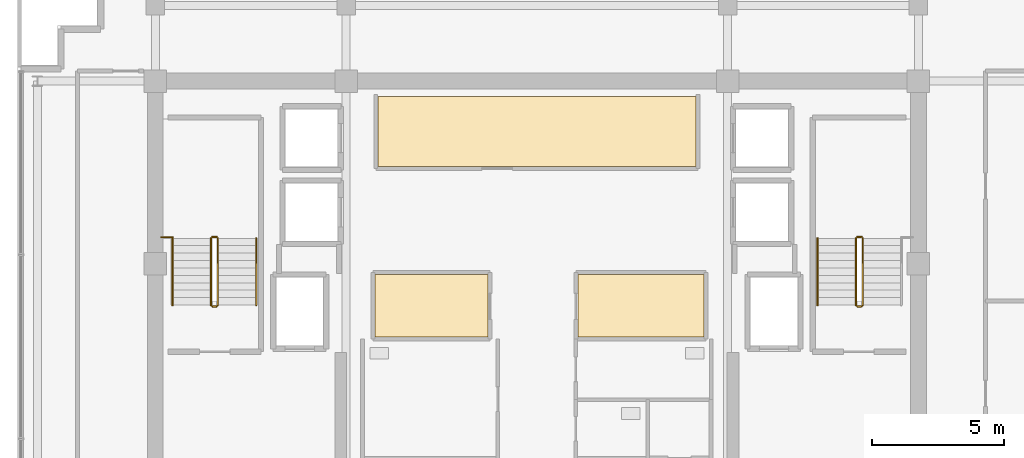
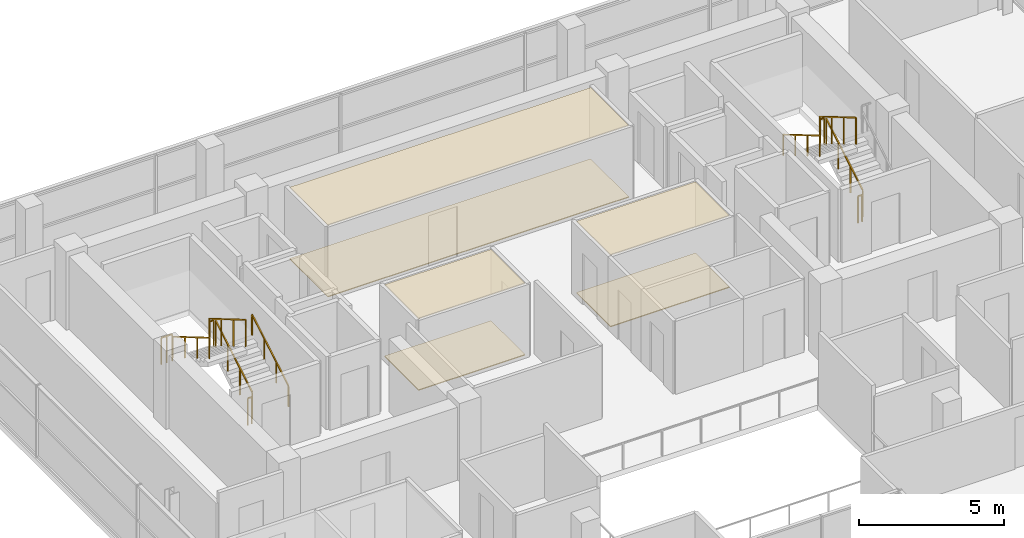
# One storey, part 20 of 22: 12 railings, 6 coverings.
"""IFC4 building model written with IfcOpenShell, lengths in metres."""

from ifc_helpers import new_model, si_unit, direction, frame, origin, origin_2d, place, context, subcontext, project, spatial, polyline, rectangle, outline, extrude, material, layer, layer_set, type_object, element, save


model = new_model("IFC4")

# Units and contexts
model_context = context("Model", 3, precision=1e-05, world=origin(), true_north=direction((0.0, 1.0)))
body_context = subcontext(model_context, "Body", "Model", "MODEL_VIEW")
ifc_project = project(units=[si_unit("LENGTHUNIT", "METRE"), si_unit("AREAUNIT", "SQUARE_METRE"), si_unit("VOLUMEUNIT", "CUBIC_METRE"), si_unit("PLANEANGLEUNIT", "RADIAN"), si_unit("MASSUNIT", "GRAM", prefix="KILO")], contexts=[model_context])

# Site, building, storey
site_placement = place(None, origin())
site = spatial("IfcSite", under=ifc_project, at=site_placement, CompositionType="ELEMENT")
building_placement = place(site_placement, origin())
building = spatial("IfcBuilding", under=site, at=building_placement, Name="Zarnakvel Exchange Tower", CompositionType="ELEMENT")
storey_placement = place(building_placement, frame((0.0, 0.0, 251.800048828125)))
storey = spatial("IfcBuildingStorey", under=building, at=storey_placement, Name="L71", CompositionType="ELEMENT", Elevation=251.800048828125)

# Coverings
ifc_material_1 = material(Name="Perforated Bronze Acoustic Metal Ceiling", Category="aluminium")
ifc_layer_1 = layer(ifc_material_1, 0.02001953125)
ifc_layer_set_1 = layer_set([ifc_layer_1], Name="Perforated Bronze Acoustic Metal Ceiling")
covering_type_1 = type_object("IfcCoveringType", Name="CLG-01", PredefinedType="CEILING", material=ifc_layer_set_1)
covering_1_placement = place(storey_placement, frame((0.0, 0.0, 3.014892578125)))
element("IfcCovering", 1, at=covering_1_placement, inside=storey, type_object=covering_type_1, Name="L71 Suspended Acoustic Ceiling (Market Data Archive Suite)", PredefinedType="CEILING", context=body_context, shape_type="SweptSolid", body=[
    extrude(outline(polyline([(-6.0, 12.919921875), (6.0, 12.919921875), (6.0, 10.280029296875), (-6.0, 10.280029296875), (-6.0, 12.919921875)])), origin(), (0.0, 0.0, 1.0), 0.02001953125),
])
covering_2_placement = place(storey_placement, frame((0.0, 0.0, 3.014892578125)))
element("IfcCovering", 2, at=covering_2_placement, inside=storey, type_object=covering_type_1, Name="L71 Suspended Acoustic Ceiling (Sovereign Compliance Office)", PredefinedType="CEILING", context=body_context, shape_type="SweptSolid", body=[
    extrude(outline(polyline([(-6.10009765625, 6.199951171875), (-1.85009765625, 6.199951171875), (-1.85009765625, 3.840087890625), (-6.10009765625, 3.840087890625), (-6.10009765625, 6.199951171875)])), origin(), (0.0, 0.0, 1.0), 0.02001953125),
])
covering_3_placement = place(storey_placement, frame((0.0, 0.0, 3.014892578125)))
element("IfcCovering", 3, at=covering_3_placement, inside=storey, type_object=covering_type_1, Name="L71 Suspended Acoustic Ceiling (Depository Legal Office)", PredefinedType="CEILING", context=body_context, shape_type="SweptSolid", body=[
    extrude(outline(polyline([(1.550048828125, 6.199951171875), (6.300048828125, 6.199951171875), (6.300048828125, 3.840087890625), (1.550048828125, 3.840087890625), (1.550048828125, 6.199951171875)])), origin(), (0.0, 0.0, 1.0), 0.02001953125),
])
ifc_material_2 = material(Name="Heavy-Duty Raised Access Floor Panel", Category="steel")
ifc_layer_2 = layer(ifc_material_2, 0.034912109375)
ifc_layer_set_2 = layer_set([ifc_layer_2], Name="Heavy-Duty Raised Access Floor Panel")
covering_type_2 = type_object("IfcCoveringType", Name="FLR-02", PredefinedType="FLOORING", material=ifc_layer_set_2)
covering_4_placement = place(storey_placement, origin())
element("IfcCovering", 4, at=covering_4_placement, inside=storey, type_object=covering_type_2, Name="L71 Floor Finish (Market Data Archive Suite)", PredefinedType="FLOORING", context=body_context, shape_type="SweptSolid", body=[
    extrude(outline(polyline([(-6.0, 12.919921875), (6.0, 12.919921875), (6.0, 10.280029296875), (-6.0, 10.280029296875), (-6.0, 12.919921875)])), origin(), (0.0, 0.0, 1.0), 0.034912109375),
])
covering_5_placement = place(storey_placement, origin())
element("IfcCovering", 5, at=covering_5_placement, inside=storey, type_object=covering_type_2, Name="L71 Floor Finish (Sovereign Compliance Office)", PredefinedType="FLOORING", context=body_context, shape_type="SweptSolid", body=[
    extrude(outline(polyline([(-6.10009765625, 6.199951171875), (-1.85009765625, 6.199951171875), (-1.85009765625, 3.840087890625), (-6.10009765625, 3.840087890625), (-6.10009765625, 6.199951171875)])), origin(), (0.0, 0.0, 1.0), 0.034912109375),
])
covering_6_placement = place(storey_placement, origin())
element("IfcCovering", 6, at=covering_6_placement, inside=storey, type_object=covering_type_2, Name="L71 Floor Finish (Depository Legal Office)", PredefinedType="FLOORING", context=body_context, shape_type="SweptSolid", body=[
    extrude(outline(polyline([(1.550048828125, 6.199951171875), (6.300048828125, 6.199951171875), (6.300048828125, 3.840087890625), (1.550048828125, 3.840087890625), (1.550048828125, 6.199951171875)])), origin(), (0.0, 0.0, 1.0), 0.034912109375),
])

# Railings
ifc_material_3 = material(Name="Brushed Stainless Steel", Category="steel")
railing_type_1 = type_object("IfcRailingType", Name="HR-01", PredefinedType="HANDRAIL", material=ifc_material_3)
railing_1_placement = place(storey_placement, frame((-10.590087890625, 5.050048828125, 0.1650390625)))
element("IfcRailing", 7, at=railing_1_placement, inside=storey, type_object=railing_type_1, Name="L71 ST-01 stair handrail 1", PredefinedType="HANDRAIL", context=body_context, shape_type="SweptSolid", body=[
    extrude(rectangle(XDim=0.048095703125, YDim=0.048095703125, at=origin_2d()), frame((0.0, 0.0, 0.8759765625), z_axis=(0.0, 0.861560626758, 0.507654692109), x_axis=(-1.0, 0.0, 0.0)), (0.0, 0.0, 1.0), 2.925048828125),
    extrude(rectangle(XDim=0.0419921875, YDim=0.0419921875, at=origin_2d()), origin(), (0.0, 0.0, 1.0), 0.851806640625),
    extrude(rectangle(XDim=0.0419921875, YDim=0.0419921875, at=origin_2d()), frame((0.0, 0.840087890625, 0.494873046875)), (0.0, 0.0, 1.0), 0.851806640625),
    extrude(rectangle(XDim=0.0419921875, YDim=0.0419921875, at=origin_2d()), frame((0.0, 1.679931640625, 0.989990234375)), (0.0, 0.0, 1.0), 0.851806640625),
    extrude(rectangle(XDim=0.0419921875, YDim=0.0419921875, at=origin_2d()), frame((0.0, 2.52001953125, 1.48486328125)), (0.0, 0.0, 1.0), 0.851806640625),
])
for number, where, name in (
    (8, (-13.75, 7.570068359375, 1.81494140625), "L71 ST-01 stair handrail 2"),
    (9, (10.590087890625, 7.570068359375, 1.81494140625), "L71 ST-02 stair handrail 2"),
):
    element("IfcRailing", number, at=place(storey_placement, frame(where)), inside=storey, type_object=railing_type_1, Name=name, PredefinedType="HANDRAIL", context=body_context, shape_type="SweptSolid", body=[
        extrude(rectangle(XDim=0.048095703125, YDim=0.048095703125, at=origin_2d()), frame((0.0, 0.0, 0.8759765625), z_axis=(0.0, -0.86152411907, 0.507716645641), x_axis=(1.0, 0.0, 0.0)), (0.0, 0.0, 1.0), 2.925048828125),
        extrude(rectangle(XDim=0.0419921875, YDim=0.0419921875, at=origin_2d()), origin(), (0.0, 0.0, 1.0), 0.851806640625),
        extrude(rectangle(XDim=0.0419921875, YDim=0.0419921875, at=origin_2d()), frame((0.0, -0.840087890625, 0.4951171875)), (0.0, 0.0, 1.0), 0.851806640625),
        extrude(rectangle(XDim=0.0419921875, YDim=0.0419921875, at=origin_2d()), frame((0.0, -1.679931640625, 0.989990234375)), (0.0, 0.0, 1.0), 0.851806640625),
        extrude(rectangle(XDim=0.0419921875, YDim=0.0419921875, at=origin_2d()), frame((0.0, -2.52001953125, 1.485107421875)), (0.0, 0.0, 1.0), 0.851806640625),
    ])
ifc_material_4 = material(Name="Architectural Bronze Anodised Aluminium", Category="aluminium")
railing_type_2 = type_object("IfcRailingType", Name="SG-01", PredefinedType="GUARDRAIL", material=ifc_material_4)
railing_2_placement = place(storey_placement, frame((-12.0400390625, 5.050048828125, 0.1650390625)))
element("IfcRailing", 10, at=railing_2_placement, inside=storey, type_object=railing_type_2, Name="L71 ST-01 stair guard 1", PredefinedType="GUARDRAIL", context=body_context, shape_type="SweptSolid", body=[
    extrude(rectangle(XDim=0.048095703125, YDim=0.048095703125, at=origin_2d()), frame((0.0, 0.0, 1.1259765625), z_axis=(0.0, 0.861560626758, 0.507654692109), x_axis=(-1.0, 0.0, 0.0)), (0.0, 0.0, 1.0), 2.925048828125),
    extrude(rectangle(XDim=0.0419921875, YDim=0.0419921875, at=origin_2d()), origin(), (0.0, 0.0, 1.0), 1.101806640625),
    extrude(rectangle(XDim=0.0419921875, YDim=0.0419921875, at=origin_2d()), frame((0.0, 0.840087890625, 0.494873046875)), (0.0, 0.0, 1.0), 1.101806640625),
    extrude(rectangle(XDim=0.0419921875, YDim=0.0419921875, at=origin_2d()), frame((0.0, 1.679931640625, 0.989990234375)), (0.0, 0.0, 1.0), 1.101806640625),
    extrude(rectangle(XDim=0.0419921875, YDim=0.0419921875, at=origin_2d()), frame((0.0, 2.52001953125, 1.48486328125)), (0.0, 0.0, 1.0), 1.101806640625),
])
railing_3_placement = place(storey_placement, frame((-12.090087890625, 7.6201171875, 1.64990234375)))
element("IfcRailing", 11, at=railing_3_placement, inside=storey, type_object=railing_type_2, Name="L71 ST-01 stair guard 2", PredefinedType="GUARDRAIL", context=body_context, shape_type="SweptSolid", body=[
    extrude(rectangle(XDim=0.048095703125, YDim=0.048095703125, at=origin_2d()), frame((0.0, 0.0, 1.1259765625), z_axis=(-1.0, 0.0, 0.0), x_axis=(0.0, -1.0, 0.0)), (0.0, 0.0, 1.0), 0.159912109375),
    extrude(rectangle(XDim=0.0419921875, YDim=0.0419921875, at=origin_2d()), origin(), (0.0, 0.0, 1.0), 1.101806640625),
    extrude(rectangle(XDim=0.0419921875, YDim=0.0419921875, at=origin_2d()), frame((-0.159912109375, 0.0, 0.0)), (0.0, 0.0, 1.0), 1.101806640625),
])
railing_4_placement = place(storey_placement, frame((-12.300048828125, 7.570068359375, 1.81494140625)))
element("IfcRailing", 12, at=railing_4_placement, inside=storey, type_object=railing_type_2, Name="L71 ST-01 stair guard 3", PredefinedType="GUARDRAIL", context=body_context, shape_type="SweptSolid", body=[
    extrude(rectangle(XDim=0.048095703125, YDim=0.048095703125, at=origin_2d()), frame((0.0, 0.0, 1.1259765625), z_axis=(0.0, -0.86152411907, 0.507716645641), x_axis=(1.0, 0.0, 0.0)), (0.0, 0.0, 1.0), 2.925048828125),
    extrude(rectangle(XDim=0.0419921875, YDim=0.0419921875, at=origin_2d()), origin(), (0.0, 0.0, 1.0), 1.101806640625),
    extrude(rectangle(XDim=0.0419921875, YDim=0.0419921875, at=origin_2d()), frame((0.0, -0.840087890625, 0.4951171875)), (0.0, 0.0, 1.0), 1.101806640625),
    extrude(rectangle(XDim=0.0419921875, YDim=0.0419921875, at=origin_2d()), frame((0.0, -1.679931640625, 0.989990234375)), (0.0, 0.0, 1.0), 1.101806640625),
    extrude(rectangle(XDim=0.0419921875, YDim=0.0419921875, at=origin_2d()), frame((0.0, -2.52001953125, 1.485107421875)), (0.0, 0.0, 1.0), 1.101806640625),
])
railing_5_placement = place(storey_placement, frame((-12.090087890625, 5.0, 0.0)))
element("IfcRailing", 13, at=railing_5_placement, inside=storey, type_object=railing_type_2, Name="L71 ST-01 stair guard 4", PredefinedType="GUARDRAIL", context=body_context, shape_type="SweptSolid", body=[
    extrude(rectangle(XDim=0.048095703125, YDim=0.048095703125, at=origin_2d()), frame((0.0, 0.0, 1.1259765625), z_axis=(-1.0, 0.0, 0.0), x_axis=(0.0, -1.0, 0.0)), (0.0, 0.0, 1.0), 0.159912109375),
    extrude(rectangle(XDim=0.0419921875, YDim=0.0419921875, at=origin_2d()), origin(), (0.0, 0.0, 1.0), 1.101806640625),
    extrude(rectangle(XDim=0.0419921875, YDim=0.0419921875, at=origin_2d()), frame((-0.159912109375, 0.0, 0.0)), (0.0, 0.0, 1.0), 1.101806640625),
])
railing_6_placement = place(storey_placement, frame((-14.179931640625, 7.610107421875, 1.64990234375)))
element("IfcRailing", 14, at=railing_6_placement, inside=storey, type_object=railing_type_2, Name="L71 ST-01 Landing Slot Guardrail", PredefinedType="GUARDRAIL", context=body_context, shape_type="SweptSolid", body=[
    extrude(rectangle(XDim=0.048095703125, YDim=0.048095703125, at=origin_2d()), frame((0.0, 0.0, 1.1259765625), z_axis=(1.0, 0.0, 0.0), x_axis=(0.0, 1.0, 0.0)), (0.0, 0.0, 1.0), 0.429931640625),
    extrude(rectangle(XDim=0.0419921875, YDim=0.0419921875, at=origin_2d()), origin(), (0.0, 0.0, 1.0), 1.101806640625),
    extrude(rectangle(XDim=0.0419921875, YDim=0.0419921875, at=origin_2d()), frame((0.21484375, 0.0, 0.0)), (0.0, 0.0, 1.0), 1.101806640625),
    extrude(rectangle(XDim=0.0419921875, YDim=0.0419921875, at=origin_2d()), frame((0.429931640625, 0.0, 0.0)), (0.0, 0.0, 1.0), 1.101806640625),
])
railing_7_placement = place(storey_placement, frame((12.300048828125, 5.050048828125, 0.1650390625)))
element("IfcRailing", 15, at=railing_7_placement, inside=storey, type_object=railing_type_2, Name="L71 ST-02 stair guard 1", PredefinedType="GUARDRAIL", context=body_context, shape_type="SweptSolid", body=[
    extrude(rectangle(XDim=0.048095703125, YDim=0.048095703125, at=origin_2d()), frame((0.0, 0.0, 1.1259765625), z_axis=(0.0, 0.861560626758, 0.507654692109), x_axis=(-1.0, 0.0, 0.0)), (0.0, 0.0, 1.0), 2.925048828125),
    extrude(rectangle(XDim=0.0419921875, YDim=0.0419921875, at=origin_2d()), origin(), (0.0, 0.0, 1.0), 1.101806640625),
    extrude(rectangle(XDim=0.0419921875, YDim=0.0419921875, at=origin_2d()), frame((0.0, 0.840087890625, 0.494873046875)), (0.0, 0.0, 1.0), 1.101806640625),
    extrude(rectangle(XDim=0.0419921875, YDim=0.0419921875, at=origin_2d()), frame((0.0, 1.679931640625, 0.989990234375)), (0.0, 0.0, 1.0), 1.101806640625),
    extrude(rectangle(XDim=0.0419921875, YDim=0.0419921875, at=origin_2d()), frame((0.0, 2.52001953125, 1.48486328125)), (0.0, 0.0, 1.0), 1.101806640625),
])
railing_8_placement = place(storey_placement, frame((12.25, 7.6201171875, 1.64990234375)))
element("IfcRailing", 16, at=railing_8_placement, inside=storey, type_object=railing_type_2, Name="L71 ST-02 stair guard 2", PredefinedType="GUARDRAIL", context=body_context, shape_type="SweptSolid", body=[
    extrude(rectangle(XDim=0.048095703125, YDim=0.048095703125, at=origin_2d()), frame((0.0, 0.0, 1.1259765625), z_axis=(-1.0, 0.0, 0.0), x_axis=(0.0, -1.0, 0.0)), (0.0, 0.0, 1.0), 0.159912109375),
    extrude(rectangle(XDim=0.0419921875, YDim=0.0419921875, at=origin_2d()), origin(), (0.0, 0.0, 1.0), 1.101806640625),
    extrude(rectangle(XDim=0.0419921875, YDim=0.0419921875, at=origin_2d()), frame((-0.159912109375, 0.0, 0.0)), (0.0, 0.0, 1.0), 1.101806640625),
])
railing_9_placement = place(storey_placement, frame((12.0400390625, 7.570068359375, 1.81494140625)))
element("IfcRailing", 17, at=railing_9_placement, inside=storey, type_object=railing_type_2, Name="L71 ST-02 stair guard 3", PredefinedType="GUARDRAIL", context=body_context, shape_type="SweptSolid", body=[
    extrude(rectangle(XDim=0.048095703125, YDim=0.048095703125, at=origin_2d()), frame((0.0, 0.0, 1.1259765625), z_axis=(0.0, -0.86152411907, 0.507716645641), x_axis=(1.0, 0.0, 0.0)), (0.0, 0.0, 1.0), 2.925048828125),
    extrude(rectangle(XDim=0.0419921875, YDim=0.0419921875, at=origin_2d()), origin(), (0.0, 0.0, 1.0), 1.101806640625),
    extrude(rectangle(XDim=0.0419921875, YDim=0.0419921875, at=origin_2d()), frame((0.0, -0.840087890625, 0.4951171875)), (0.0, 0.0, 1.0), 1.101806640625),
    extrude(rectangle(XDim=0.0419921875, YDim=0.0419921875, at=origin_2d()), frame((0.0, -1.679931640625, 0.989990234375)), (0.0, 0.0, 1.0), 1.101806640625),
    extrude(rectangle(XDim=0.0419921875, YDim=0.0419921875, at=origin_2d()), frame((0.0, -2.52001953125, 1.485107421875)), (0.0, 0.0, 1.0), 1.101806640625),
])
railing_10_placement = place(storey_placement, frame((12.25, 5.0, 0.0)))
element("IfcRailing", 18, at=railing_10_placement, inside=storey, type_object=railing_type_2, Name="L71 ST-02 stair guard 4", PredefinedType="GUARDRAIL", context=body_context, shape_type="SweptSolid", body=[
    extrude(rectangle(XDim=0.048095703125, YDim=0.048095703125, at=origin_2d()), frame((0.0, 0.0, 1.1259765625), z_axis=(-1.0, 0.0, 0.0), x_axis=(0.0, -1.0, 0.0)), (0.0, 0.0, 1.0), 0.159912109375),
    extrude(rectangle(XDim=0.0419921875, YDim=0.0419921875, at=origin_2d()), origin(), (0.0, 0.0, 1.0), 1.101806640625),
    extrude(rectangle(XDim=0.0419921875, YDim=0.0419921875, at=origin_2d()), frame((-0.159912109375, 0.0, 0.0)), (0.0, 0.0, 1.0), 1.101806640625),
])

save(model, "model.ifc")
